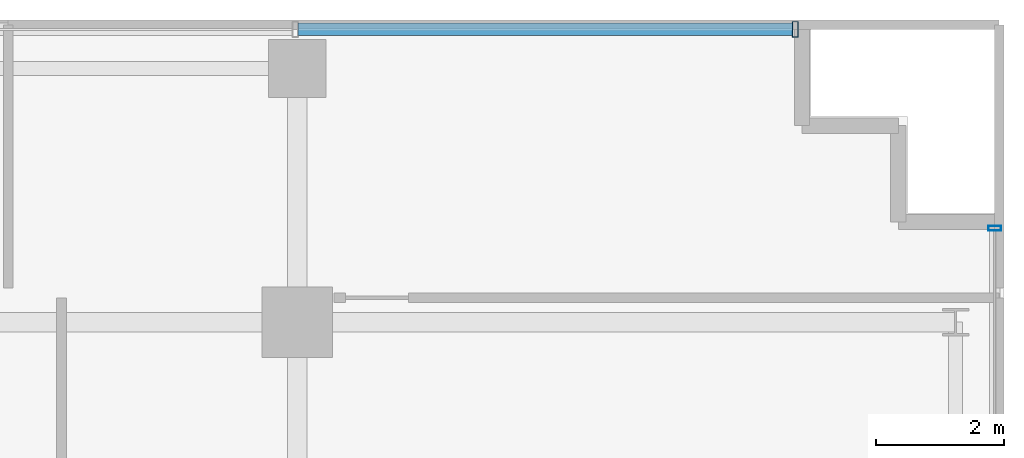
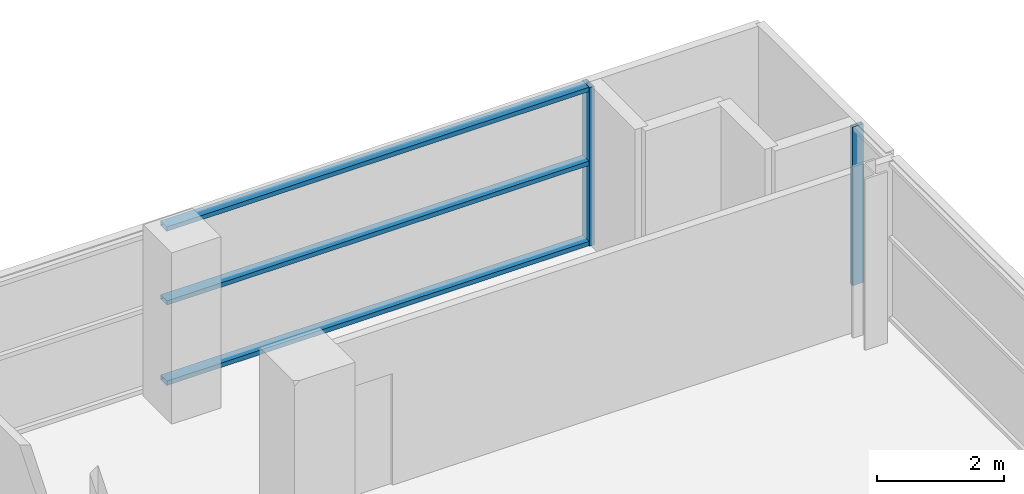
# One storey, part 22 of 31: 5 members, 2 elements without a shape of their own.
"""IFC4 building model written with IfcOpenShell, lengths in metres."""

import ifcopenshell
import ifcopenshell.guid

model = None  # the IFC model being written
_history = None  # IfcOwnerHistory: only IFC2X3 demands one
_inside = {}  # id of a spatial element -> (the spatial element, [elements in it])
_under = {}  # id of a project, library or spatial element -> (it, [spatial elements below it])
_declared = {}  # id of a project -> (the project, [libraries it declares])
_typed = {}  # id of a type object -> (the type object, [elements of that type])
_made_of = {}  # id of a material, layer set ... -> (it, [elements and type objects made of it])


def new_model(schema):
    """Start an empty IFC model of exactly this schema.

    Asked for "IFC4X3", IfcOpenShell would pick the latest addendum, in which some entities
    have other attributes; the version numbers below select the first issue.
    IFC2X3 requires an IfcOwnerHistory on every rooted entity: one is made here for all.
    """
    global model, _history
    if schema == "IFC4X3":
        model = ifcopenshell.file(schema_version=(4, 3, 0, 0))
    else:
        model = ifcopenshell.file(schema=schema)
    _inside.clear()
    _under.clear()
    _declared.clear()
    _typed.clear()
    _made_of.clear()
    _history = None
    if model.schema == "IFC2X3":
        org = make("IfcOrganization", Name="unknown")
        user = make(
            "IfcPersonAndOrganization",
            ThePerson=make("IfcPerson", FamilyName="unknown"),
            TheOrganization=org,
        )
        app = make(
            "IfcApplication",
            ApplicationDeveloper=org,
            Version="unknown",
            ApplicationFullName="unknown",
            ApplicationIdentifier="unknown",
        )
        _history = make(
            "IfcOwnerHistory",
            OwningUser=user,
            OwningApplication=app,
            ChangeAction="ADDED",
            CreationDate=0,
        )
    return model


def make(cls, **values):
    """One entity of the class cls with the attributes given. An attribute that is None is left unset."""
    return model.create_entity(
        cls, **{name: value for name, value in values.items() if value is not None}
    )


def rooted(cls, **values):
    """An entity with a GlobalId (a new one), such as an element, a storey or a relation."""
    return make(cls, GlobalId=ifcopenshell.guid.new(), OwnerHistory=_history, **values)


def si_unit(unit_type, name, prefix=None):
    """IfcSIUnit, for example si_unit("LENGTHUNIT", "METRE", prefix="MILLI")."""
    return make("IfcSIUnit", UnitType=unit_type, Prefix=prefix, Name=name)


def assignment(units):
    """IfcUnitAssignment: the units of a project."""
    return None if units is None else make("IfcUnitAssignment", Units=units)


def point(xyz):
    """IfcCartesianPoint."""
    return None if xyz is None else make("IfcCartesianPoint", Coordinates=xyz)


def direction(xyz):
    """IfcDirection."""
    return None if xyz is None else make("IfcDirection", DirectionRatios=xyz)


def frame(location, z_axis=None, x_axis=None):
    """IfcAxis2Placement3D, a coordinate frame: its origin and axes. An axis left out is left unset."""
    return make(
        "IfcAxis2Placement3D",
        Location=point(location),
        Axis=direction(z_axis),
        RefDirection=direction(x_axis),
    )


def frame_2d(location, x_axis=None):
    """IfcAxis2Placement2D, a coordinate frame in the plane: its origin and x axis."""
    return make(
        "IfcAxis2Placement2D", Location=point(location), RefDirection=direction(x_axis)
    )


def origin():
    """The frame at (0, 0, 0) with its axes left unset."""
    return frame((0.0, 0.0, 0.0))


def origin_2d():
    """The frame at (0, 0) in the plane with its x axis left unset."""
    return frame_2d((0.0, 0.0))


def place(relative_to, where):
    """IfcLocalPlacement: puts the frame where relative to a parent placement (None: the world)."""
    return make(
        "IfcLocalPlacement", PlacementRelTo=relative_to, RelativePlacement=where
    )


def context(
    kind, dimensions, precision=None, world=None, true_north=None, identifier=None
):
    """IfcGeometricRepresentationContext, for example the 3D "Model" context."""
    return make(
        "IfcGeometricRepresentationContext",
        ContextIdentifier=identifier,
        ContextType=kind,
        CoordinateSpaceDimension=dimensions,
        Precision=precision,
        WorldCoordinateSystem=world,
        TrueNorth=true_north,
    )


def subcontext(parent, identifier, kind, view, scale=None):
    """IfcGeometricRepresentationSubContext, for example "Body" below "Model"."""
    return make(
        "IfcGeometricRepresentationSubContext",
        ContextIdentifier=identifier,
        ContextType=kind,
        ParentContext=parent,
        TargetScale=scale,
        TargetView=view,
    )


def project(units=None, contexts=None):
    """IfcProject with its units and contexts."""
    return rooted(
        "IfcProject",
        Name="project",
        RepresentationContexts=contexts,
        UnitsInContext=assignment(units),
    )


def spatial(cls, under=None, at=None, **own):
    """A site, building, storey or space (cls), placed at a placement, below another one or the project."""
    s = rooted(cls, ObjectPlacement=at, **own)
    if under is not None:
        _under.setdefault(under.id(), (under, []))[1].append(s)
    return s


def profile(cls, at=None, kind="AREA", **sizes):
    """A parametric profile (cls). Its sizes go by their IFC names, for example OverallWidth=200.0."""
    return make(cls, ProfileType=kind, Position=at, **sizes)


def hollow_rectangle(**sizes):
    """IfcRectangleHollowProfileDef."""
    return profile("IfcRectangleHollowProfileDef", **sizes)


def extrude(swept, where, along, depth):
    """IfcExtrudedAreaSolid: the profile swept, set in the frame where, extruded along a direction by depth."""
    return make(
        "IfcExtrudedAreaSolid",
        SweptArea=swept,
        Position=where,
        ExtrudedDirection=direction(along),
        Depth=depth,
    )


def shape(context_of_items, identifier, shape_type, items):
    """IfcShapeRepresentation: the items that make up one representation, for example the "Body"."""
    return make(
        "IfcShapeRepresentation",
        ContextOfItems=context_of_items,
        RepresentationIdentifier=identifier,
        RepresentationType=shape_type,
        Items=items,
    )


def source(mapping_origin, context_of_items, identifier, shape_type, items):
    """IfcRepresentationMap: a shape defined once, which mapped items show again and again."""
    return make(
        "IfcRepresentationMap",
        MappingOrigin=mapping_origin,
        MappedRepresentation=shape(context_of_items, identifier, shape_type, items),
    )


def transform(
    local_origin,
    x_axis=None,
    y_axis=None,
    z_axis=None,
    scale=None,
    scale2=None,
    scale3=None,
    uniform=True,
):
    """IfcCartesianTransformationOperator3D, or its non-uniform kind. x_axis, y_axis, z_axis: its Axis1, 2, 3."""
    if uniform:
        return make(
            "IfcCartesianTransformationOperator3D",
            Axis1=direction(x_axis),
            Axis2=direction(y_axis),
            LocalOrigin=point(local_origin),
            Scale=scale,
            Axis3=direction(z_axis),
        )
    return make(
        "IfcCartesianTransformationOperator3DnonUniform",
        Axis1=direction(x_axis),
        Axis2=direction(y_axis),
        LocalOrigin=point(local_origin),
        Scale=scale,
        Axis3=direction(z_axis),
        Scale2=scale2,
        Scale3=scale3,
    )


def mapped(mapping_source, mapping_target):
    """IfcMappedItem: shows the shape of a source again, moved by a transform."""
    return make(
        "IfcMappedItem", MappingSource=mapping_source, MappingTarget=mapping_target
    )


def material(Name=None, Category=None):
    """IfcMaterial."""
    return make("IfcMaterial", Name=Name, Category=Category)


def layer(
    of_material, thickness, ventilated=None, Name=None, Category=None, Priority=None
):
    """IfcMaterialLayer: one layer of a wall or slab, of a material (None: an air gap)."""
    return make(
        "IfcMaterialLayer",
        Material=of_material,
        LayerThickness=thickness,
        IsVentilated=ventilated,
        Name=Name,
        Category=Category,
        Priority=Priority,
    )


def layer_set(layers, Name=None):
    """IfcMaterialLayerSet."""
    return make("IfcMaterialLayerSet", MaterialLayers=layers, LayerSetName=Name)


def material_profile(
    of_material, cross_section, Name=None, Category=None, Priority=None
):
    """IfcMaterialProfile: a cross section and its material."""
    return make(
        "IfcMaterialProfile",
        Name=Name,
        Material=of_material,
        Profile=cross_section,
        Priority=Priority,
        Category=Category,
    )


def profile_set(profiles, Name=None, composite=None):
    """IfcMaterialProfileSet."""
    return make(
        "IfcMaterialProfileSet",
        Name=Name,
        MaterialProfiles=profiles,
        CompositeProfile=composite,
    )


def made_of(thing, what):
    """Note that an element or type object is made of a material, layer set ...; save() writes the relation."""
    if what is not None:
        _made_of.setdefault(what.id(), (what, []))[1].append(thing)
    return thing


def type_object(cls, material=None, **own):
    """A type object (cls), such as IfcWallType, which elements share."""
    return made_of(rooted(cls, **own), material)


def element(
    cls,
    number,
    at=None,
    inside=None,
    cuts=None,
    type_object=None,
    material=None,
    context=None,
    identifier="Body",
    shape_type=None,
    held_by="IfcProductDefinitionShape",
    body=None,
    shapes=None,
    **own,
):
    """One element of the class cls, such as IfcWall. Its Tag is "e" and its number.

    at: its placement. inside: the storey or other place that contains it. cuts: it is an
    opening in that element (IfcRelVoidsElement). A single representation is given by context,
    identifier, shape_type and body (its items); several are given by shapes. held_by: the class
    of the entity that holds the representations. save() writes the other relations.
    """
    e = rooted(cls, Tag="e%d" % number, ObjectPlacement=at, **own)
    if body is not None:
        shapes = [shape(context, identifier, shape_type, body)]
    if shapes is not None:
        e.Representation = make(held_by, Representations=shapes)
    if inside is not None:
        _inside.setdefault(inside.id(), (inside, []))[1].append(e)
    if cuts is not None:
        rooted(
            "IfcRelVoidsElement", RelatingBuildingElement=cuts, RelatedOpeningElement=e
        )
    if type_object is not None:
        _typed.setdefault(type_object.id(), (type_object, []))[1].append(e)
    return made_of(e, material)


def aggregate(whole, parts):
    """IfcRelAggregates: a whole, such as a stair, and the parts it consists of."""
    return rooted("IfcRelAggregates", RelatingObject=whole, RelatedObjects=parts)


def save(model, path):
    """Write the relations noted so far, then the file.

    IfcRelAggregates (storeys below a building ...), IfcRelContainedInSpatialStructure (elements
    in a storey), IfcRelDefinesByType, IfcRelAssociatesMaterial and IfcRelDeclares: one each for
    every whole, place, type object, material and project.
    """
    for whole, parts in _under.values():
        aggregate(whole, parts)
    for where, things in _inside.values():
        rooted(
            "IfcRelContainedInSpatialStructure",
            RelatedElements=things,
            RelatingStructure=where,
        )
    for kind, things in _typed.values():
        rooted("IfcRelDefinesByType", RelatedObjects=things, RelatingType=kind)
    for what, things in _made_of.values():
        rooted("IfcRelAssociatesMaterial", RelatedObjects=things, RelatingMaterial=what)
    for by, libraries in _declared.values():
        rooted("IfcRelDeclares", RelatingContext=by, RelatedDefinitions=libraries)
    model.write(path)


model = new_model("IFC4")

# Units and contexts
model_context = context("Model", 3, precision=1e-05, world=origin(), true_north=direction((0.0, 1.0)))
body_context = subcontext(model_context, "Body", "Model", "MODEL_VIEW")
ifc_project = project(units=[si_unit("LENGTHUNIT", "METRE"), si_unit("AREAUNIT", "SQUARE_METRE"), si_unit("VOLUMEUNIT", "CUBIC_METRE"), si_unit("PLANEANGLEUNIT", "RADIAN"), si_unit("MASSUNIT", "GRAM", prefix="KILO")], contexts=[model_context])

# Site, building, storey
site_placement = place(None, origin())
site = spatial("IfcSite", under=ifc_project, at=site_placement, CompositionType="ELEMENT")
building_placement = place(site_placement, origin())
building = spatial("IfcBuilding", under=site, at=building_placement, Name="Zarnakvel Exchange Tower", CompositionType="ELEMENT")
storey_placement = place(building_placement, frame((0.0, 0.0, 67.0)))
storey = spatial("IfcBuildingStorey", under=building, at=storey_placement, Name="L18", CompositionType="ELEMENT", Elevation=67.0)

# Curtain wall, members
ifc_material = material(Name="Architectural Bronze Anodised Aluminium", Category="aluminium")
ifc_layer_1 = layer(ifc_material, 0.239990234375)
ifc_layer_set_1 = layer_set([ifc_layer_1], Name="Architectural Bronze Anodised Aluminium")
curtain_wall_type_1 = type_object("IfcCurtainWallType", Name="CW-02", PredefinedType="NOTDEFINED", material=ifc_layer_set_1)
curtain_wall_1_placement = place(storey_placement, origin())
curtain_wall_1 = element("IfcCurtainWall", 1, at=curtain_wall_1_placement, inside=storey, type_object=curtain_wall_type_1, Name="L18 Curtain Wall CW-L18-N1 (CW-02)", PredefinedType="NOTDEFINED")
ifc_material_profile_1 = material_profile(ifc_material, hollow_rectangle(XDim=0.199951171875, YDim=0.0849609375, WallThickness=0.0048828125, at=origin_2d()))
ifc_profile_set_1 = profile_set([ifc_material_profile_1], Name="Architectural Bronze Anodised Aluminium")
member_type_1 = type_object("IfcMemberType", Name="CWT-02", PredefinedType="USERDEFINED", material=ifc_profile_set_1)
shared_shape_1 = source(origin(), body_context, "Body", "SweptSolid", [
    extrude(hollow_rectangle(XDim=0.199951171875, YDim=0.0849609375, WallThickness=0.0048828125, at=origin_2d()), origin(), (0.0, 0.0, 1.0), 7.693603515625),
])
member_1_placement = place(storey_placement, frame((21.616455078125, 18.06005859375, 0.04248046875), z_axis=(1.0, 0.0, 0.0), x_axis=(0.0, 1.0, 0.0)))
member_1 = element("IfcMember", 2, at=member_1_placement, type_object=member_type_1, Name="CW-02 transom 7.1", ObjectType="TRANSOM", PredefinedType="USERDEFINED", context=body_context, shape_type="MappedRepresentation", body=[
    mapped(shared_shape_1, transform((0.0, 0.0, 0.0), x_axis=(1.0, 0.0, 0.0), y_axis=(0.0, 1.0, 0.0), z_axis=(0.0, 0.0, 1.0), scale=1.0)),
])
member_2_placement = place(storey_placement, frame((21.616455078125, 18.06005859375, 1.588623046875), z_axis=(1.0, 0.0, 0.0), x_axis=(0.0, 1.0, 0.0)))
member_2 = element("IfcMember", 3, at=member_2_placement, type_object=member_type_1, Name="CW-02 transom 7.2", ObjectType="TRANSOM", PredefinedType="USERDEFINED", context=body_context, shape_type="MappedRepresentation", body=[
    mapped(shared_shape_1, transform((0.0, 0.0, 0.0), x_axis=(1.0, 0.0, 0.0), y_axis=(0.0, 1.0, 0.0), z_axis=(0.0, 0.0, 1.0), scale=1.0)),
])
member_3_placement = place(storey_placement, frame((21.616455078125, 18.06005859375, 3.012451171875), z_axis=(1.0, 0.0, 0.0), x_axis=(0.0, 1.0, 0.0)))
member_3 = element("IfcMember", 4, at=member_3_placement, type_object=member_type_1, Name="CW-02 transom 7.3", ObjectType="TRANSOM", PredefinedType="USERDEFINED", context=body_context, shape_type="MappedRepresentation", body=[
    mapped(shared_shape_1, transform((0.0, 0.0, 0.0), x_axis=(1.0, 0.0, 0.0), y_axis=(0.0, 1.0, 0.0), z_axis=(0.0, 0.0, 1.0), scale=1.0)),
])
ifc_material_profile_2 = material_profile(ifc_material, hollow_rectangle(XDim=0.239990234375, YDim=0.090087890625, WallThickness=0.006103515625, at=origin_2d()))
ifc_profile_set_2 = profile_set([ifc_material_profile_2], Name="Architectural Bronze Anodised Aluminium")
member_type_2 = type_object("IfcMemberType", Name="CWM-02", PredefinedType="MULLION", material=ifc_profile_set_2)
shared_shape_2 = source(origin(), body_context, "Body", "SweptSolid", [
    extrude(hollow_rectangle(XDim=0.239990234375, YDim=0.090087890625, WallThickness=0.006103515625, at=origin_2d()), origin(), (0.0, 0.0, 1.0), 3.054931640625),
])
member_4_placement = place(storey_placement, frame((29.35498046875, 18.06005859375, 0.0), z_axis=(0.0, 0.0, 1.0), x_axis=(0.0, 1.0, 0.0)))
member_4 = element("IfcMember", 5, at=member_4_placement, type_object=member_type_2, Name="CW-02 mullion 8", PredefinedType="MULLION", context=body_context, shape_type="MappedRepresentation", body=[
    mapped(shared_shape_2, transform((0.0, 0.0, 0.0), x_axis=(1.0, 0.0, 0.0), y_axis=(0.0, 1.0, 0.0), z_axis=(0.0, 0.0, 1.0), scale=1.0)),
])
aggregate(curtain_wall_1, [member_4, member_1, member_2, member_3])

# Curtain wall, member
ifc_layer_2 = layer(ifc_material, 0.199951171875)
ifc_layer_set_2 = layer_set([ifc_layer_2], Name="Architectural Bronze Anodised Aluminium")
curtain_wall_type_2 = type_object("IfcCurtainWallType", Name="CW-04", PredefinedType="NOTDEFINED", material=ifc_layer_set_2)
curtain_wall_2_placement = place(storey_placement, origin())
curtain_wall_2 = element("IfcCurtainWall", 6, at=curtain_wall_2_placement, inside=storey, type_object=curtain_wall_type_2, Name="L18 Curtain Wall CW-L18-E1 (CW-04)", PredefinedType="NOTDEFINED")
ifc_material_profile_3 = material_profile(ifc_material, hollow_rectangle(XDim=0.199951171875, YDim=0.074951171875, WallThickness=0.0048828125, at=origin_2d()))
ifc_profile_set_3 = profile_set([ifc_material_profile_3], Name="Architectural Bronze Anodised Aluminium")
member_type_3 = type_object("IfcMemberType", Name="CWM-04", PredefinedType="MULLION", material=ifc_profile_set_3)
shared_shape_3 = source(origin(), body_context, "Body", "SweptSolid", [
    extrude(hollow_rectangle(XDim=0.199951171875, YDim=0.074951171875, WallThickness=0.0048828125, at=origin_2d()), origin(), (0.0, 0.0, 1.0), 3.054931640625),
])
member_5_placement = place(storey_placement, frame((32.4599609375, 14.96240234375, 0.0), z_axis=(0.0, 0.0, 1.0), x_axis=(-1.0, 0.0, 0.0)))
member_5 = element("IfcMember", 7, at=member_5_placement, type_object=member_type_3, Name="CW-04 mullion 5", PredefinedType="MULLION", context=body_context, shape_type="MappedRepresentation", body=[
    mapped(shared_shape_3, transform((0.0, 0.0, 0.0), x_axis=(1.0, 0.0, 0.0), y_axis=(0.0, 1.0, 0.0), z_axis=(0.0, 0.0, 1.0), scale=1.0)),
])
aggregate(curtain_wall_2, [member_5])

save(model, "model.ifc")
